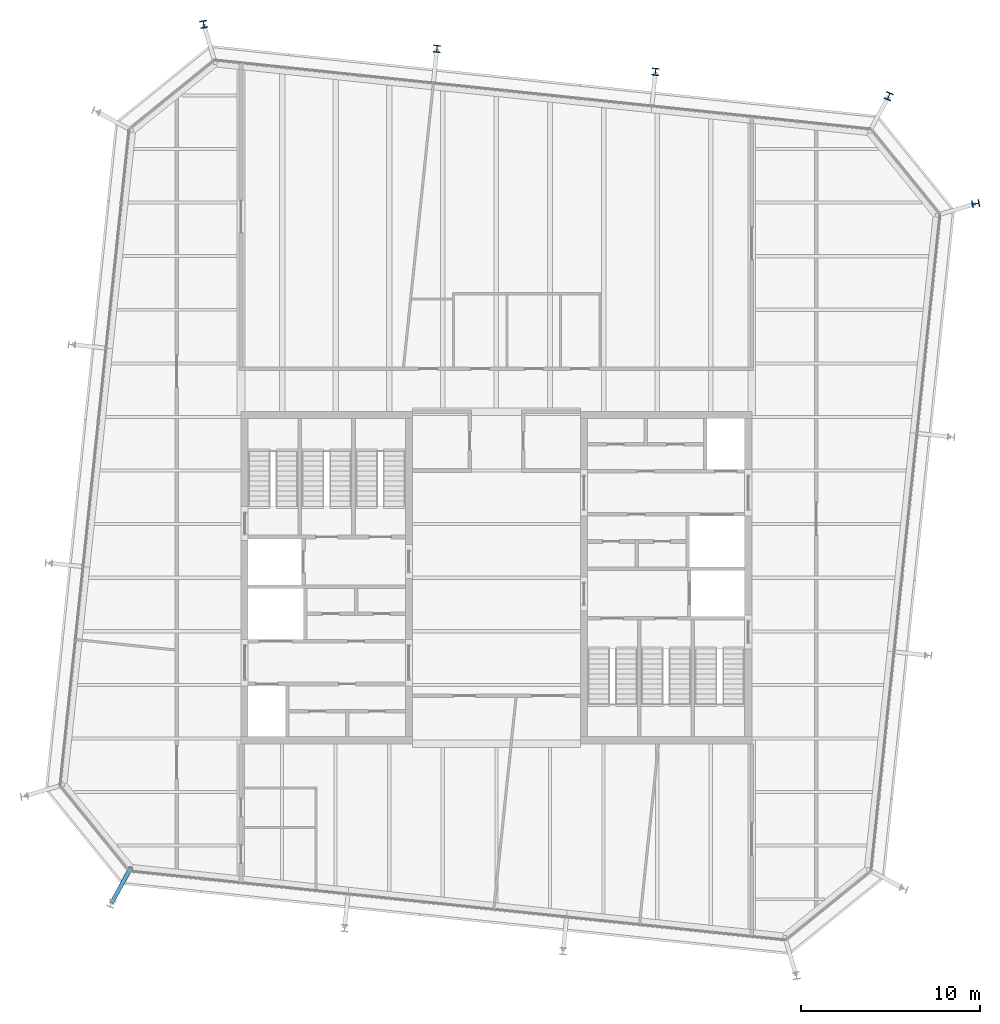
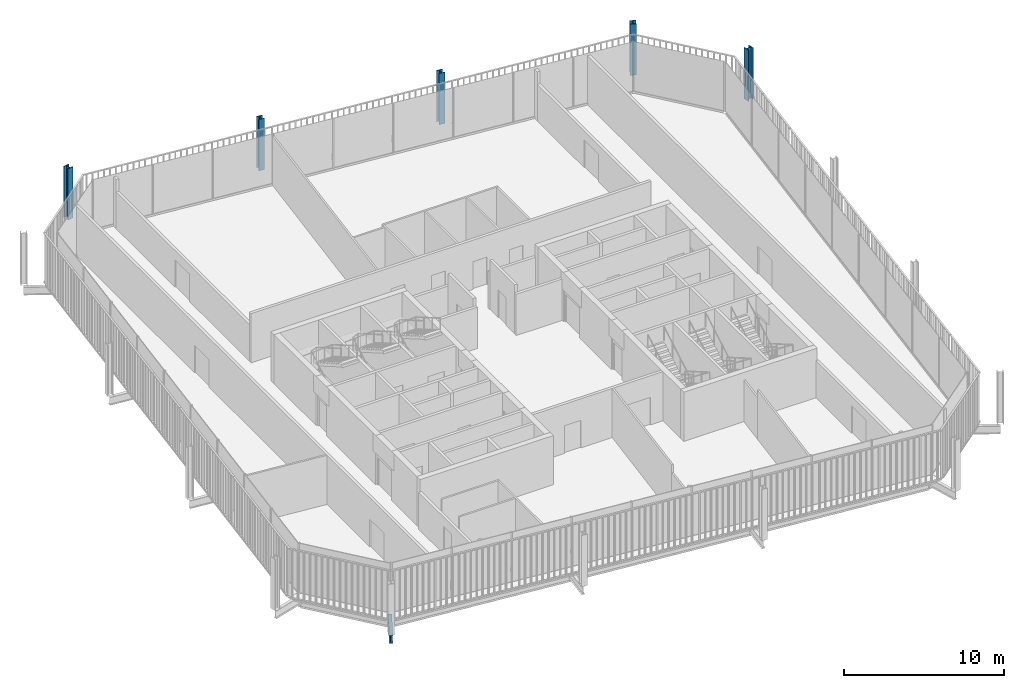
# One storey, part 2 of 20: 5 columns, 1 beam.
"""IFC4 building model written with IfcOpenShell, lengths in metres."""

from ifc_helpers import new_model, si_unit, direction, frame, origin, origin_2d, place, context, subcontext, project, spatial, i_section, extrude, material, material_profile, profile_set, type_object, element, save


model = new_model("IFC4")

# Units and contexts
model_context = context("Model", 3, precision=1e-05, world=origin(), true_north=direction((0.0, 1.0)))
body_context = subcontext(model_context, "Body", "Model", "MODEL_VIEW")
ifc_project = project(units=[si_unit("LENGTHUNIT", "METRE"), si_unit("AREAUNIT", "SQUARE_METRE"), si_unit("VOLUMEUNIT", "CUBIC_METRE"), si_unit("PLANEANGLEUNIT", "RADIAN"), si_unit("MASSUNIT", "GRAM", prefix="KILO")], contexts=[model_context])

# Site, building, storey
site_placement = place(None, origin())
site = spatial("IfcSite", under=ifc_project, at=site_placement, CompositionType="ELEMENT")
building_placement = place(site_placement, origin())
building = spatial("IfcBuilding", under=site, at=building_placement, Name="Millrace Tower", CompositionType="ELEMENT")
storey_placement = place(building_placement, frame((0.0, 0.0, 322.60009765625)))
storey = spatial("IfcBuildingStorey", under=building, at=storey_placement, Name="L74", CompositionType="ELEMENT", Elevation=322.60009765625)

# Columns
ifc_material_1 = material(Name="Steel ASTM A913 Grade 65", Category="steel")
ifc_material_profile_1 = material_profile(ifc_material_1, i_section(OverallWidth=0.4013671875, OverallDepth=0.398681640625, WebThickness=0.02490234375, FlangeThickness=0.03955078125, FilletRadius=0.01513671875, at=origin_2d()))
ifc_profile_set_1 = profile_set([ifc_material_profile_1], Name="Steel ASTM A913 Grade 65")
column_type_1 = type_object("IfcColumnType", Name="Exoskeleton column W14x211", PredefinedType="COLUMN", material=ifc_profile_set_1)
for number, where, z_axis, x_axis, name in (
    (1, (8.9033203125, 28.321533203125, 0.0), (0.0, 0.0, 1.0), (-0.994521897246, 0.104528445407, 0.0), "COL-E-L74-X11"),
    (2, (-3.329345703125, 29.607177734375, 0.0), (0.0, 0.0, 1.0), (-0.994521897246, 0.104528445407, 0.0), "COL-E-L74-X12"),
):
    element("IfcColumn", number, at=place(storey_placement, frame(where, z_axis=z_axis, x_axis=x_axis)), inside=storey, type_object=column_type_1, Name=name, PredefinedType="COLUMN", context=body_context, shape_type="SweptSolid", body=[
        extrude(i_section(OverallWidth=0.4013671875, OverallDepth=0.398681640625, WebThickness=0.02490234375, FlangeThickness=0.03955078125, FilletRadius=0.01513671875, at=origin_2d()), origin(), (0.0, 0.0, 1.0), 3.89990234375),
    ])
ifc_material_2 = material(Name="Steel ASTM A913 Grade 65", Category="steel")
ifc_material_profile_2 = material_profile(ifc_material_2, i_section(OverallWidth=0.406494140625, OverallDepth=0.41650390625, WebThickness=0.030029296875, FlangeThickness=0.048095703125, FilletRadius=0.01513671875, at=origin_2d()))
ifc_profile_set_2 = profile_set([ifc_material_profile_2], Name="Steel ASTM A913 Grade 65")
column_type_2 = type_object("IfcColumnType", Name="Exoskeleton column W14x257", PredefinedType="COLUMN", material=ifc_profile_set_2)
for number, where, z_axis, x_axis, name in (
    (3, (26.82958984375, 20.935791015625, 0.0), (0.0, 0.0, 1.0), (-0.18038747256, 0.983595628164, 0.0), "COL-E-L74-X09"),
    (4, (21.9599609375, 26.94921875, 0.0), (0.0, 0.0, 1.0), (-0.92459700658, 0.380946683176, 0.0), "COL-E-L74-X10"),
    (5, (-16.3857421875, 30.9794921875, 0.0), (0.0, 0.0, 1.0), (-0.983595628164, -0.18038747256, 0.0), "COL-E-L74-X13"),
):
    element("IfcColumn", number, at=place(storey_placement, frame(where, z_axis=z_axis, x_axis=x_axis)), inside=storey, type_object=column_type_2, Name=name, PredefinedType="COLUMN", context=body_context, shape_type="SweptSolid", body=[
        extrude(i_section(OverallWidth=0.406494140625, OverallDepth=0.41650390625, WebThickness=0.030029296875, FlangeThickness=0.048095703125, FilletRadius=0.01513671875, at=origin_2d()), origin(), (0.0, 0.0, 1.0), 3.89990234375),
    ])

# Beam
ifc_material_3 = material(Name="Steel ASTM A992 Grade 50", Category="steel")
ifc_material_profile_3 = material_profile(ifc_material_3, i_section(OverallWidth=0.23046875, OverallDepth=0.6171875, WebThickness=0.01318359375, FlangeThickness=0.022216796875, FilletRadius=0.012939453125, at=origin_2d()))
ifc_profile_set_3 = profile_set([ifc_material_profile_3], Name="Steel ASTM A992 Grade 50")
beam_type = type_object("IfcBeamType", Name="Link beam W24x94", PredefinedType="BEAM", material=ifc_profile_set_3)
beam_placement = place(storey_placement, frame((-20.447509765625, -16.20068359375, -0.46875), z_axis=(-0.477163510307, -0.87881453358, 0.0), x_axis=(0.87881453358, -0.477163510307, 0.0)))
element("IfcBeam", 6, at=beam_placement, inside=storey, type_object=beam_type, Name="LNK-E-L74-S1-16", PredefinedType="BEAM", context=body_context, shape_type="SweptSolid", body=[
    extrude(i_section(OverallWidth=0.23046875, OverallDepth=0.6171875, WebThickness=0.01318359375, FlangeThickness=0.022216796875, FilletRadius=0.012939453125, at=origin_2d()), origin(), (0.0, 0.0, 1.0), 2.3310546875),
])

save(model, "model.ifc")
